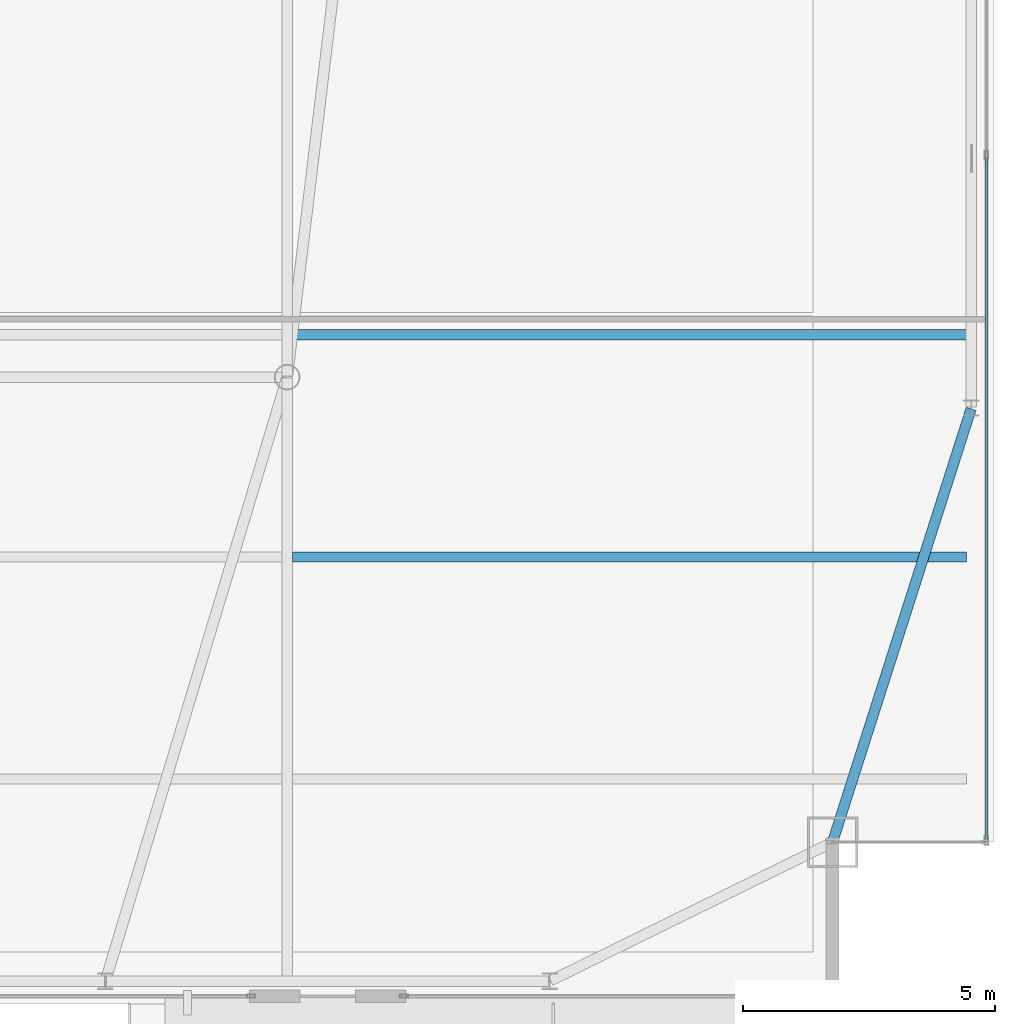
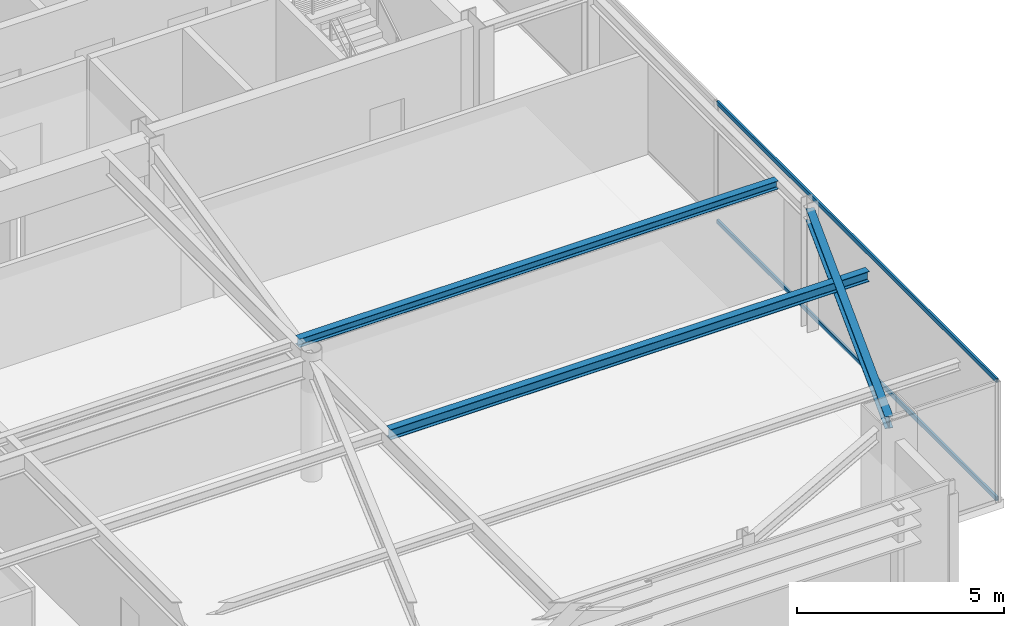
# One storey, part 13 of 24: 3 beams, 2 members, 1 element without a shape of its own.
"""IFC4 building model written with IfcOpenShell, lengths in metres."""

from ifc_helpers import new_model, si_unit, direction, frame, origin, origin_2d, place, context, subcontext, project, spatial, hollow_rectangle, i_section, extrude, source, transform, mapped, material, layer, layer_set, material_profile, profile_set, type_object, type_shapes, element, aggregate, save


model = new_model("IFC4")

# Units and contexts
model_context = context("Model", 3, precision=1e-05, world=origin(), true_north=direction((0.0, 1.0)))
body_context = subcontext(model_context, "Body", "Model", "MODEL_VIEW")
ifc_project = project(units=[si_unit("LENGTHUNIT", "METRE"), si_unit("AREAUNIT", "SQUARE_METRE"), si_unit("VOLUMEUNIT", "CUBIC_METRE"), si_unit("PLANEANGLEUNIT", "RADIAN"), si_unit("MASSUNIT", "GRAM", prefix="KILO")], contexts=[model_context])

# Site, building, storey
site_placement = place(None, origin())
site = spatial("IfcSite", under=ifc_project, at=site_placement, CompositionType="ELEMENT")
building_placement = place(site_placement, origin())
building = spatial("IfcBuilding", under=site, at=building_placement, Name="Varnel Quay Broadcast Tower", CompositionType="ELEMENT")
storey_placement = place(building_placement, frame((0.0, 0.0, 281.199951171875)))
storey = spatial("IfcBuildingStorey", under=building, at=storey_placement, Name="L70", CompositionType="ELEMENT", Elevation=281.199951171875)

# Beams
ifc_material_1 = material(Name="Structural Steel CSA G40.21 350W", Category="steel")
ifc_material_profile_1 = material_profile(ifc_material_1, i_section(OverallWidth=0.205078125, OverallDepth=0.35400390625, WebThickness=0.009521484375, FlangeThickness=0.016845703125, FilletRadius=0.012939453125, at=origin_2d()), Name="W360X79")
ifc_profile_set_1 = profile_set([ifc_material_profile_1], Name="Structural Steel CSA G40.21 350W")
beam_type_1 = type_object("IfcBeamType", Name="Beam_W360X79", PredefinedType="SPANDREL", material=ifc_profile_set_1)
shared_shape_1 = source(origin(), body_context, "Body", "SweptSolid", [
    extrude(i_section(OverallWidth=0.205078125, OverallDepth=0.35400390625, WebThickness=0.009521484375, FlangeThickness=0.016845703125, FilletRadius=0.012939453125, at=origin_2d()), origin(), (0.0, 0.0, 1.0), 8.989013671875),
])
type_shapes(beam_type_1, [shared_shape_1])
beam_1_placement = place(storey_placement, frame((52.80615234375, 16.4189453125, 3.373046875), z_axis=(0.304568770162, 0.952490348635, 0.0), x_axis=(-0.952490348635, 0.304568770162, 0.0)))
element("IfcBeam", 1, at=beam_1_placement, inside=storey, type_object=beam_type_1, Name="L70 East Spandrel MC-SE-TC-E1", PredefinedType="SPANDREL", context=body_context, shape_type="MappedRepresentation", body=[
    mapped(shared_shape_1, transform((0.0, 0.0, 0.0), x_axis=(1.0, 0.0, 0.0), y_axis=(0.0, 1.0, 0.0), z_axis=(0.0, 0.0, 1.0), scale=1.0)),
])
ifc_material_profile_2 = material_profile(ifc_material_1, i_section(OverallWidth=0.201904296875, OverallDepth=0.2470703125, WebThickness=0.00732421875, FlangeThickness=0.010986328125, FilletRadius=0.010986328125, at=origin_2d()), Name="W250X49")
ifc_profile_set_2 = profile_set([ifc_material_profile_2], Name="Structural Steel CSA G40.21 350W")
beam_type_2 = type_object("IfcBeamType", Name="Beam_W250X49", PredefinedType="JOIST", material=ifc_profile_set_2)
shared_shape_2 = source(origin(), body_context, "Body", "SweptSolid", [
    extrude(i_section(OverallWidth=0.201904296875, OverallDepth=0.2470703125, WebThickness=0.00732421875, FlangeThickness=0.010986328125, FilletRadius=0.010986328125, at=origin_2d()), origin(), (0.0, 0.0, 1.0), 13.351318359375),
])
type_shapes(beam_type_2, [shared_shape_2])
beam_2_placement = place(storey_placement, frame((42.10107421875, 26.449951171875, 3.426513671875), z_axis=(1.0, 0.0, 0.0), x_axis=(0.0, 1.0, 0.0)))
element("IfcBeam", 2, at=beam_2_placement, inside=storey, type_object=beam_type_2, Name="L70 East Floor Joist 3", PredefinedType="JOIST", context=body_context, shape_type="MappedRepresentation", body=[
    mapped(shared_shape_2, transform((0.0, 0.0, 0.0), x_axis=(1.0, 0.0, 0.0), y_axis=(0.0, 1.0, 0.0), z_axis=(0.0, 0.0, 1.0), scale=1.0)),
])
ifc_material_profile_3 = material_profile(ifc_material_1, i_section(OverallWidth=0.202880859375, OverallDepth=0.302978515625, WebThickness=0.007568359375, FlangeThickness=0.01318359375, FilletRadius=0.011962890625, at=origin_2d()), Name="W310X60")
ifc_profile_set_3 = profile_set([ifc_material_profile_3], Name="Structural Steel CSA G40.21 350W")
beam_type_3 = type_object("IfcBeamType", Name="Beam_W310X60", PredefinedType="JOIST", material=ifc_profile_set_3)
shared_shape_3 = source(origin(), body_context, "Body", "SweptSolid", [
    extrude(i_section(OverallWidth=0.202880859375, OverallDepth=0.302978515625, WebThickness=0.007568359375, FlangeThickness=0.01318359375, FilletRadius=0.011962890625, at=origin_2d()), origin(), (0.0, 0.0, 1.0), 13.351318359375),
])
type_shapes(beam_type_3, [shared_shape_3])
beam_3_placement = place(storey_placement, frame((42.10107421875, 22.050048828125, 3.3984375), z_axis=(1.0, 0.0, 0.0), x_axis=(0.0, 1.0, 0.0)))
element("IfcBeam", 3, at=beam_3_placement, inside=storey, type_object=beam_type_3, Name="L70 East Floor Joist 2", PredefinedType="JOIST", context=body_context, shape_type="MappedRepresentation", body=[
    mapped(shared_shape_3, transform((0.0, 0.0, 0.0), x_axis=(1.0, 0.0, 0.0), y_axis=(0.0, 1.0, 0.0), z_axis=(0.0, 0.0, 1.0), scale=1.0)),
])

# Curtain wall, members
ifc_material_2 = material(Name="Anodised Bronze Aluminium 6063-T6", Category="aluminium")
ifc_layer = layer(ifc_material_2, 0.18994140625, Name="Anodised Bronze Aluminium 6063-T6")
ifc_layer_set = layer_set([ifc_layer], Name="Anodised Bronze Aluminium 6063-T6")
curtain_wall_type = type_object("IfcCurtainWallType", Name="CW_UpperTower", PredefinedType="NOTDEFINED", material=ifc_layer_set)
curtain_wall_placement = place(storey_placement, origin())
curtain_wall = element("IfcCurtainWall", 4, at=curtain_wall_placement, inside=storey, type_object=curtain_wall_type, Name="L70 East Unitised Curtain Wall", PredefinedType="NOTDEFINED")
ifc_material_profile_4 = material_profile(ifc_material_2, hollow_rectangle(XDim=0.06005859375, YDim=0.125, WallThickness=0.0029296875, at=origin_2d()), Name="ALU60X125X3")
ifc_profile_set_4 = profile_set([ifc_material_profile_4], Name="Anodised Bronze Aluminium 6063-T6")
member_type = type_object("IfcMemberType", Name="Tran_CWS-03", PredefinedType="USERDEFINED", material=ifc_profile_set_4)
shared_shape_4 = source(origin(), body_context, "Body", "SweptSolid", [
    extrude(hollow_rectangle(XDim=0.06005859375, YDim=0.125, WallThickness=0.0029296875, at=origin_2d()), origin(), (0.0, 0.0, 1.0), 13.50244140625),
])
type_shapes(member_type, [shared_shape_4])
member_1_placement = place(storey_placement, frame((55.85009765625, 16.465087890625, 0.030029296875), z_axis=(0.0, 1.0, 0.0), x_axis=(-1.0, 0.0, 0.0)))
member_1 = element("IfcMember", 5, at=member_1_placement, type_object=member_type, Name="CWS-03 transom 1.1", ObjectType="TRANSOM", PredefinedType="USERDEFINED", context=body_context, shape_type="MappedRepresentation", body=[
    mapped(shared_shape_4, transform((0.0, 0.0, 0.0), x_axis=(1.0, 0.0, 0.0), y_axis=(0.0, 1.0, 0.0), z_axis=(0.0, 0.0, 1.0), scale=1.0)),
])
member_2_placement = place(storey_placement, frame((55.85009765625, 16.465087890625, 3.52001953125), z_axis=(0.0, 1.0, 0.0), x_axis=(-1.0, 0.0, 0.0)))
member_2 = element("IfcMember", 6, at=member_2_placement, type_object=member_type, Name="CWS-03 transom 1.2", ObjectType="TRANSOM", PredefinedType="USERDEFINED", context=body_context, shape_type="MappedRepresentation", body=[
    mapped(shared_shape_4, transform((0.0, 0.0, 0.0), x_axis=(1.0, 0.0, 0.0), y_axis=(0.0, 1.0, 0.0), z_axis=(0.0, 0.0, 1.0), scale=1.0)),
])
aggregate(curtain_wall, [member_1, member_2])

save(model, "model.ifc")
